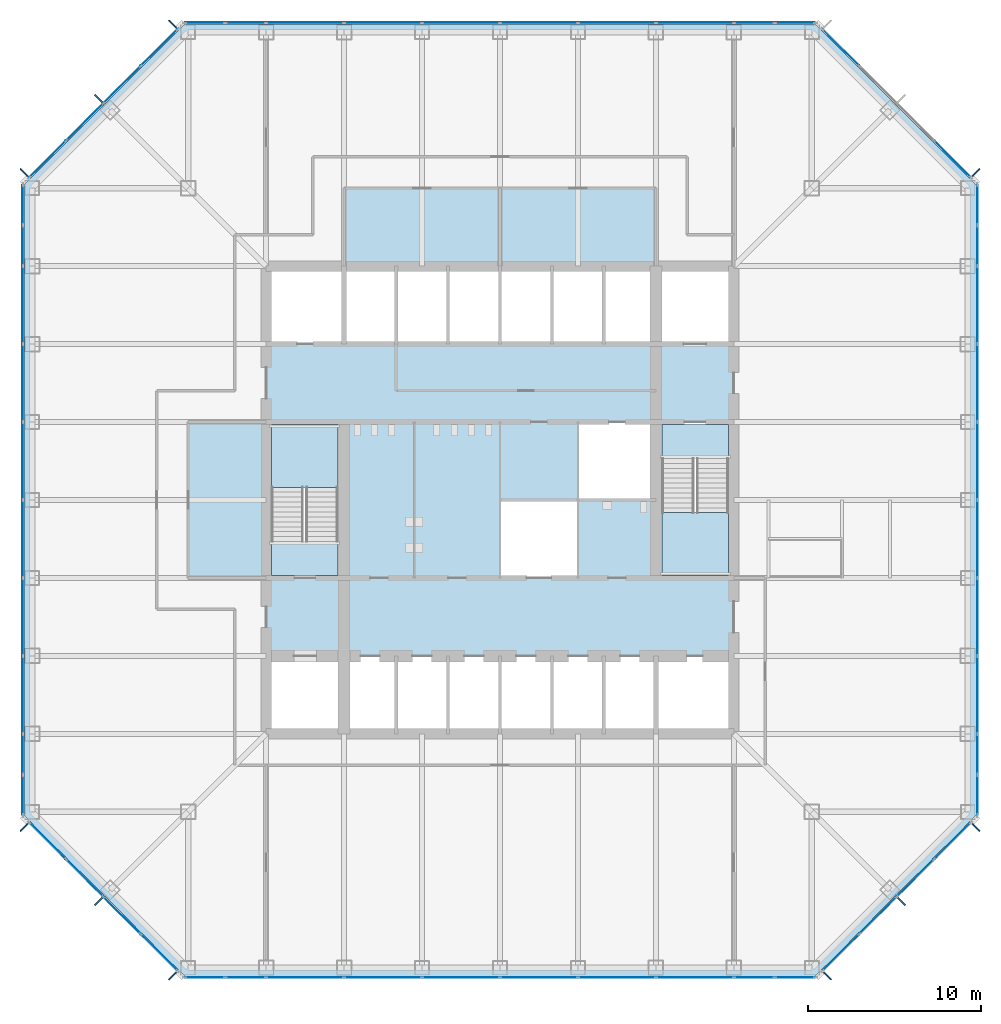
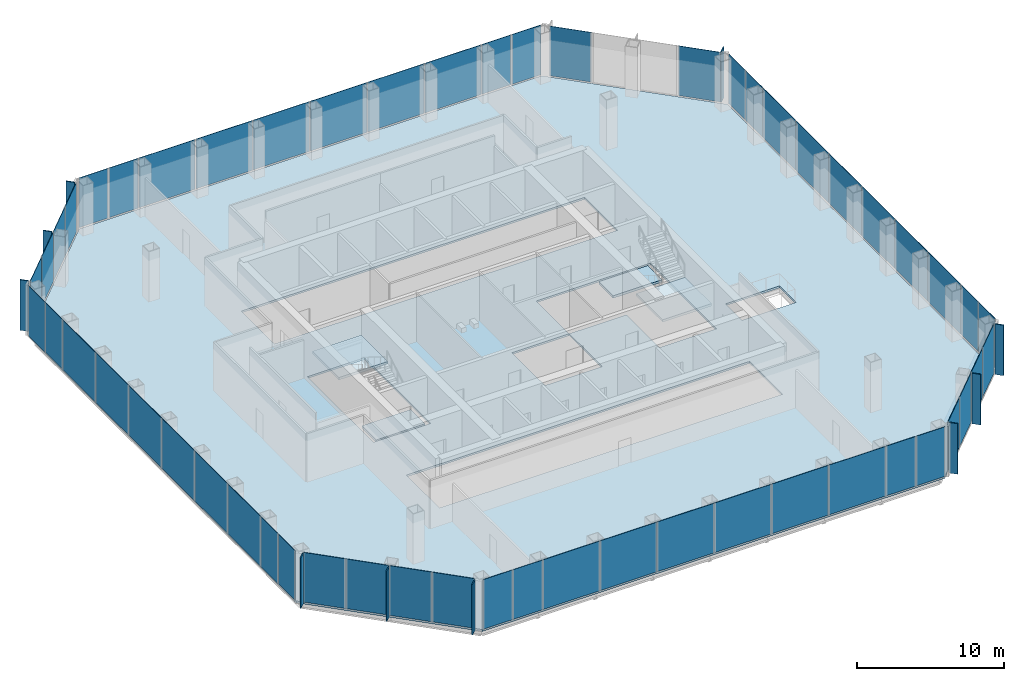
# One storey, part 7 of 12: 64 plates, 5 slabs, 10 elements without a shape of their own.
"""IFC4 building model written with IfcOpenShell, lengths in metres."""

from ifc_helpers import new_model, si_unit, direction, frame, origin, origin_2d, place, context, subcontext, project, spatial, polyline, rectangle, outline, extrude, material, layer, layer_set, type_object, element, aggregate, save


model = new_model("IFC4")

# Units and contexts
model_context = context("Model", 3, precision=1e-05, world=origin(), true_north=direction((0.0, 1.0)))
body_context = subcontext(model_context, "Body", "Model", "MODEL_VIEW")
ifc_project = project(units=[si_unit("LENGTHUNIT", "METRE"), si_unit("AREAUNIT", "SQUARE_METRE"), si_unit("VOLUMEUNIT", "CUBIC_METRE"), si_unit("PLANEANGLEUNIT", "RADIAN"), si_unit("MASSUNIT", "GRAM", prefix="KILO")], contexts=[model_context])

# Site, building, storey
site_placement = place(None, origin())
site = spatial("IfcSite", under=ifc_project, at=site_placement, CompositionType="ELEMENT")
building_placement = place(site_placement, origin())
building = spatial("IfcBuilding", under=site, at=building_placement, Name="Corais Broadcast Tower", CompositionType="ELEMENT")
storey_placement = place(building_placement, frame((0.0, 0.0, 41.60009765625)))
storey = spatial("IfcBuildingStorey", under=building, at=storey_placement, Name="L08", CompositionType="ELEMENT", Elevation=41.60009765625)

# Curtain wall, plates
ifc_material_1 = material(Name="Aluminium and glass", Category="aluminium")
curtain_wall_type = type_object("IfcCurtainWallType", Name="Newsroom clear-glass curtain wall CW7", PredefinedType="NOTDEFINED", material=ifc_material_1)
curtain_wall_1_placement = place(storey_placement, origin())
curtain_wall_1 = element("IfcCurtainWall", 1, at=curtain_wall_1_placement, inside=storey, type_object=curtain_wall_type, Name="CW7 curtain wall L08 1", PredefinedType="NOTDEFINED")
ifc_material_2 = material(Name="Clear low-iron laminated glass", Category="glass")
ifc_layer_1 = layer(ifc_material_2, 0.032958984375)
ifc_layer_set_1 = layer_set([ifc_layer_1], Name="Clear low-iron laminated glass")
plate_type_1 = type_object("IfcPlateType", Name="Clear glass panel CW7", PredefinedType="CURTAIN_PANEL", material=ifc_layer_set_1)
plate_1_placement = place(storey_placement, frame((7.330322265625, 0.891845703125, 0.06494140625), z_axis=(0.0, 0.0, 1.0), x_axis=(-0.707106781187, 0.707106781187, 0.0)))
plate_1 = element("IfcPlate", 2, at=plate_1_placement, type_object=plate_type_1, Name="CW7 panel 1", PredefinedType="CURTAIN_PANEL", context=body_context, shape_type="SweptSolid", body=[
    extrude(rectangle(XDim=2.9482421875, YDim=0.032958984375, at=origin_2d()), origin(), (0.0, 0.0, 1.0), 4.135009765625),
])
plate_2_placement = place(storey_placement, frame((3.0341796875, 5.18798828125, 0.06494140625), z_axis=(0.0, 0.0, 1.0), x_axis=(-0.707106781187, 0.707106781187, 0.0)))
plate_2 = element("IfcPlate", 3, at=plate_2_placement, type_object=plate_type_1, Name="CW7 panel 3", PredefinedType="CURTAIN_PANEL", context=body_context, shape_type="SweptSolid", body=[
    extrude(rectangle(XDim=2.98095703125, YDim=0.032958984375, at=origin_2d()), origin(), (0.0, 0.0, 1.0), 4.135009765625),
])

curtain_wall_2_placement = place(storey_placement, origin())
curtain_wall_2 = element("IfcCurtainWall", 4, at=curtain_wall_2_placement, inside=storey, type_object=curtain_wall_type, Name="CW7 curtain wall L08 2", PredefinedType="NOTDEFINED")
plate_3_placement = place(storey_placement, frame((-0.550048828125, 9.970458984375, 0.06494140625), z_axis=(0.0, 0.0, 1.0), x_axis=(0.0, 1.0, 0.0)))
plate_3 = element("IfcPlate", 5, at=plate_3_placement, type_object=plate_type_1, Name="CW7 panel 1", PredefinedType="CURTAIN_PANEL", context=body_context, shape_type="SweptSolid", body=[
    extrude(rectangle(XDim=2.266357421875, YDim=0.032958984375, at=origin_2d()), origin(), (0.0, 0.0, 1.0), 4.135009765625),
])
plate_4_placement = place(storey_placement, frame((-0.550048828125, 15.75, 0.06494140625), z_axis=(0.0, 0.0, 1.0), x_axis=(0.0, 1.0, 0.0)))
plate_4 = element("IfcPlate", 6, at=plate_4_placement, type_object=plate_type_1, Name="CW7 panel 3", PredefinedType="CURTAIN_PANEL", context=body_context, shape_type="SweptSolid", body=[
    extrude(rectangle(XDim=4.43505859375, YDim=0.032958984375, at=origin_2d()), origin(), (0.0, 0.0, 1.0), 4.135009765625),
])
plate_5_placement = place(storey_placement, frame((-0.550048828125, 24.75, 0.06494140625), z_axis=(0.0, 0.0, 1.0), x_axis=(0.0, 1.0, 0.0)))
plate_5 = element("IfcPlate", 7, at=plate_5_placement, type_object=plate_type_1, Name="CW7 panel 5", PredefinedType="CURTAIN_PANEL", context=body_context, shape_type="SweptSolid", body=[
    extrude(rectangle(XDim=4.43505859375, YDim=0.032958984375, at=origin_2d()), origin(), (0.0, 0.0, 1.0), 4.135009765625),
])
plate_6_placement = place(storey_placement, frame((-0.550048828125, 33.75, 0.06494140625), z_axis=(0.0, 0.0, 1.0), x_axis=(0.0, 1.0, 0.0)))
plate_6 = element("IfcPlate", 8, at=plate_6_placement, type_object=plate_type_1, Name="CW7 panel 7", PredefinedType="CURTAIN_PANEL", context=body_context, shape_type="SweptSolid", body=[
    extrude(rectangle(XDim=4.43505859375, YDim=0.032958984375, at=origin_2d()), origin(), (0.0, 0.0, 1.0), 4.135009765625),
])
plate_7_placement = place(storey_placement, frame((-0.550048828125, 41.681884765625, 0.06494140625), z_axis=(0.0, 0.0, 1.0), x_axis=(0.0, 1.0, 0.0)))
plate_7 = element("IfcPlate", 9, at=plate_7_placement, type_object=plate_type_1, Name="CW7 panel 9", PredefinedType="CURTAIN_PANEL", context=body_context, shape_type="SweptSolid", body=[
    extrude(rectangle(XDim=2.298828125, YDim=0.032958984375, at=origin_2d()), origin(), (0.0, 0.0, 1.0), 4.135009765625),
])

curtain_wall_3_placement = place(storey_placement, origin())
curtain_wall_3 = element("IfcCurtainWall", 10, at=curtain_wall_3_placement, inside=storey, type_object=curtain_wall_type, Name="CW7 curtain wall L08 3", PredefinedType="NOTDEFINED")
plate_8_placement = place(storey_placement, frame((0.891845703125, 46.669677734375, 0.06494140625), z_axis=(0.0, 0.0, 1.0), x_axis=(0.707106781187, 0.707106781187, 0.0)))
plate_8 = element("IfcPlate", 11, at=plate_8_placement, type_object=plate_type_1, Name="CW7 panel 1", PredefinedType="CURTAIN_PANEL", context=body_context, shape_type="SweptSolid", body=[
    extrude(rectangle(XDim=2.9482421875, YDim=0.032958984375, at=origin_2d()), origin(), (0.0, 0.0, 1.0), 4.135009765625),
])
plate_9_placement = place(storey_placement, frame((5.18798828125, 50.9658203125, 0.06494140625), z_axis=(0.0, 0.0, 1.0), x_axis=(0.707106781187, 0.707106781187, 0.0)))
plate_9 = element("IfcPlate", 12, at=plate_9_placement, type_object=plate_type_1, Name="CW7 panel 3", PredefinedType="CURTAIN_PANEL", context=body_context, shape_type="SweptSolid", body=[
    extrude(rectangle(XDim=2.98095703125, YDim=0.032958984375, at=origin_2d()), origin(), (0.0, 0.0, 1.0), 4.135009765625),
])

curtain_wall_4_placement = place(storey_placement, origin())
curtain_wall_4 = element("IfcCurtainWall", 13, at=curtain_wall_4_placement, inside=storey, type_object=curtain_wall_type, Name="CW7 curtain wall L08 4", PredefinedType="NOTDEFINED")
plate_10_placement = place(storey_placement, frame((9.970458984375, 54.550048828125, 0.06494140625), z_axis=(0.0, 0.0, 1.0), x_axis=(1.0, 0.0, 0.0)))
plate_10 = element("IfcPlate", 14, at=plate_10_placement, type_object=plate_type_1, Name="CW7 panel 1", PredefinedType="CURTAIN_PANEL", context=body_context, shape_type="SweptSolid", body=[
    extrude(rectangle(XDim=2.266357421875, YDim=0.032958984375, at=origin_2d()), origin(), (0.0, 0.0, 1.0), 4.135009765625),
])
plate_11_placement = place(storey_placement, frame((15.75, 54.550048828125, 0.06494140625), z_axis=(0.0, 0.0, 1.0), x_axis=(1.0, 0.0, 0.0)))
plate_11 = element("IfcPlate", 15, at=plate_11_placement, type_object=plate_type_1, Name="CW7 panel 3", PredefinedType="CURTAIN_PANEL", context=body_context, shape_type="SweptSolid", body=[
    extrude(rectangle(XDim=4.43505859375, YDim=0.032958984375, at=origin_2d()), origin(), (0.0, 0.0, 1.0), 4.135009765625),
])
plate_12_placement = place(storey_placement, frame((24.75, 54.550048828125, 0.06494140625), z_axis=(0.0, 0.0, 1.0), x_axis=(1.0, 0.0, 0.0)))
plate_12 = element("IfcPlate", 16, at=plate_12_placement, type_object=plate_type_1, Name="CW7 panel 5", PredefinedType="CURTAIN_PANEL", context=body_context, shape_type="SweptSolid", body=[
    extrude(rectangle(XDim=4.43505859375, YDim=0.032958984375, at=origin_2d()), origin(), (0.0, 0.0, 1.0), 4.135009765625),
])
plate_13_placement = place(storey_placement, frame((33.75, 54.550048828125, 0.06494140625), z_axis=(0.0, 0.0, 1.0), x_axis=(1.0, 0.0, 0.0)))
plate_13 = element("IfcPlate", 17, at=plate_13_placement, type_object=plate_type_1, Name="CW7 panel 7", PredefinedType="CURTAIN_PANEL", context=body_context, shape_type="SweptSolid", body=[
    extrude(rectangle(XDim=4.43505859375, YDim=0.032958984375, at=origin_2d()), origin(), (0.0, 0.0, 1.0), 4.135009765625),
])
plate_14_placement = place(storey_placement, frame((41.681884765625, 54.550048828125, 0.06494140625), z_axis=(0.0, 0.0, 1.0), x_axis=(1.0, 0.0, 0.0)))
plate_14 = element("IfcPlate", 18, at=plate_14_placement, type_object=plate_type_1, Name="CW7 panel 9", PredefinedType="CURTAIN_PANEL", context=body_context, shape_type="SweptSolid", body=[
    extrude(rectangle(XDim=2.298828125, YDim=0.032958984375, at=origin_2d()), origin(), (0.0, 0.0, 1.0), 4.135009765625),
])

# Curtain wall, plate
curtain_wall_5_placement = place(storey_placement, origin())
curtain_wall_5 = element("IfcCurtainWall", 19, at=curtain_wall_5_placement, inside=storey, type_object=curtain_wall_type, Name="CW7 curtain wall L08 5", PredefinedType="NOTDEFINED")
plate_15_placement = place(storey_placement, frame((46.669677734375, 53.108154296875, 0.06494140625), z_axis=(0.0, 0.0, 1.0), x_axis=(0.707106781187, -0.707106781187, 0.0)))
plate_15 = element("IfcPlate", 20, at=plate_15_placement, type_object=plate_type_1, Name="CW7 panel 1", PredefinedType="CURTAIN_PANEL", context=body_context, shape_type="SweptSolid", body=[
    extrude(rectangle(XDim=2.9482421875, YDim=0.032958984375, at=origin_2d()), origin(), (0.0, 0.0, 1.0), 4.135009765625),
])

# Curtain wall, plates
curtain_wall_6_placement = place(storey_placement, origin())
curtain_wall_6 = element("IfcCurtainWall", 21, at=curtain_wall_6_placement, inside=storey, type_object=curtain_wall_type, Name="CW7 curtain wall L08 6", PredefinedType="NOTDEFINED")
plate_16_placement = place(storey_placement, frame((54.550048828125, 44.029541015625, 0.06494140625), z_axis=(0.0, 0.0, 1.0), x_axis=(0.0, -1.0, 0.0)))
plate_16 = element("IfcPlate", 22, at=plate_16_placement, type_object=plate_type_1, Name="CW7 panel 1", PredefinedType="CURTAIN_PANEL", context=body_context, shape_type="SweptSolid", body=[
    extrude(rectangle(XDim=2.266357421875, YDim=0.032958984375, at=origin_2d()), origin(), (0.0, 0.0, 1.0), 4.135009765625),
])
plate_17_placement = place(storey_placement, frame((54.550048828125, 38.25, 0.06494140625), z_axis=(0.0, 0.0, 1.0), x_axis=(0.0, -1.0, 0.0)))
plate_17 = element("IfcPlate", 23, at=plate_17_placement, type_object=plate_type_1, Name="CW7 panel 3", PredefinedType="CURTAIN_PANEL", context=body_context, shape_type="SweptSolid", body=[
    extrude(rectangle(XDim=4.43505859375, YDim=0.032958984375, at=origin_2d()), origin(), (0.0, 0.0, 1.0), 4.135009765625),
])
plate_18_placement = place(storey_placement, frame((54.550048828125, 29.25, 0.06494140625), z_axis=(0.0, 0.0, 1.0), x_axis=(0.0, -1.0, 0.0)))
plate_18 = element("IfcPlate", 24, at=plate_18_placement, type_object=plate_type_1, Name="CW7 panel 5", PredefinedType="CURTAIN_PANEL", context=body_context, shape_type="SweptSolid", body=[
    extrude(rectangle(XDim=4.43505859375, YDim=0.032958984375, at=origin_2d()), origin(), (0.0, 0.0, 1.0), 4.135009765625),
])
plate_19_placement = place(storey_placement, frame((54.550048828125, 20.25, 0.06494140625), z_axis=(0.0, 0.0, 1.0), x_axis=(0.0, -1.0, 0.0)))
plate_19 = element("IfcPlate", 25, at=plate_19_placement, type_object=plate_type_1, Name="CW7 panel 7", PredefinedType="CURTAIN_PANEL", context=body_context, shape_type="SweptSolid", body=[
    extrude(rectangle(XDim=4.43505859375, YDim=0.032958984375, at=origin_2d()), origin(), (0.0, 0.0, 1.0), 4.135009765625),
])
plate_20_placement = place(storey_placement, frame((54.550048828125, 12.318115234375, 0.06494140625), z_axis=(0.0, 0.0, 1.0), x_axis=(0.0, -1.0, 0.0)))
plate_20 = element("IfcPlate", 26, at=plate_20_placement, type_object=plate_type_1, Name="CW7 panel 9", PredefinedType="CURTAIN_PANEL", context=body_context, shape_type="SweptSolid", body=[
    extrude(rectangle(XDim=2.298828125, YDim=0.032958984375, at=origin_2d()), origin(), (0.0, 0.0, 1.0), 4.135009765625),
])

curtain_wall_7_placement = place(storey_placement, origin())
curtain_wall_7 = element("IfcCurtainWall", 27, at=curtain_wall_7_placement, inside=storey, type_object=curtain_wall_type, Name="CW7 curtain wall L08 7", PredefinedType="NOTDEFINED")
plate_21_placement = place(storey_placement, frame((53.108154296875, 7.330322265625, 0.06494140625), z_axis=(0.0, 0.0, 1.0), x_axis=(-0.707106781187, -0.707106781187, 0.0)))
plate_21 = element("IfcPlate", 28, at=plate_21_placement, type_object=plate_type_1, Name="CW7 panel 1", PredefinedType="CURTAIN_PANEL", context=body_context, shape_type="SweptSolid", body=[
    extrude(rectangle(XDim=2.9482421875, YDim=0.032958984375, at=origin_2d()), origin(), (0.0, 0.0, 1.0), 4.135009765625),
])
plate_22_placement = place(storey_placement, frame((48.81201171875, 3.0341796875, 0.06494140625), z_axis=(0.0, 0.0, 1.0), x_axis=(-0.707106781187, -0.707106781187, 0.0)))
plate_22 = element("IfcPlate", 29, at=plate_22_placement, type_object=plate_type_1, Name="CW7 panel 3", PredefinedType="CURTAIN_PANEL", context=body_context, shape_type="SweptSolid", body=[
    extrude(rectangle(XDim=2.98095703125, YDim=0.032958984375, at=origin_2d()), origin(), (0.0, 0.0, 1.0), 4.135009765625),
])

curtain_wall_8_placement = place(storey_placement, origin())
curtain_wall_8 = element("IfcCurtainWall", 30, at=curtain_wall_8_placement, inside=storey, type_object=curtain_wall_type, Name="CW7 curtain wall L08 8", PredefinedType="NOTDEFINED")
plate_23_placement = place(storey_placement, frame((44.029541015625, -0.550048828125, 0.06494140625), z_axis=(0.0, 0.0, 1.0), x_axis=(-1.0, 0.0, 0.0)))
plate_23 = element("IfcPlate", 31, at=plate_23_placement, type_object=plate_type_1, Name="CW7 panel 1", PredefinedType="CURTAIN_PANEL", context=body_context, shape_type="SweptSolid", body=[
    extrude(rectangle(XDim=2.266357421875, YDim=0.032958984375, at=origin_2d()), origin(), (0.0, 0.0, 1.0), 4.135009765625),
])
plate_24_placement = place(storey_placement, frame((38.25, -0.550048828125, 0.06494140625), z_axis=(0.0, 0.0, 1.0), x_axis=(-1.0, 0.0, 0.0)))
plate_24 = element("IfcPlate", 32, at=plate_24_placement, type_object=plate_type_1, Name="CW7 panel 3", PredefinedType="CURTAIN_PANEL", context=body_context, shape_type="SweptSolid", body=[
    extrude(rectangle(XDim=4.43505859375, YDim=0.032958984375, at=origin_2d()), origin(), (0.0, 0.0, 1.0), 4.135009765625),
])
plate_25_placement = place(storey_placement, frame((29.25, -0.550048828125, 0.06494140625), z_axis=(0.0, 0.0, 1.0), x_axis=(-1.0, 0.0, 0.0)))
plate_25 = element("IfcPlate", 33, at=plate_25_placement, type_object=plate_type_1, Name="CW7 panel 5", PredefinedType="CURTAIN_PANEL", context=body_context, shape_type="SweptSolid", body=[
    extrude(rectangle(XDim=4.43505859375, YDim=0.032958984375, at=origin_2d()), origin(), (0.0, 0.0, 1.0), 4.135009765625),
])
plate_26_placement = place(storey_placement, frame((20.25, -0.550048828125, 0.06494140625), z_axis=(0.0, 0.0, 1.0), x_axis=(-1.0, 0.0, 0.0)))
plate_26 = element("IfcPlate", 34, at=plate_26_placement, type_object=plate_type_1, Name="CW7 panel 7", PredefinedType="CURTAIN_PANEL", context=body_context, shape_type="SweptSolid", body=[
    extrude(rectangle(XDim=4.43505859375, YDim=0.032958984375, at=origin_2d()), origin(), (0.0, 0.0, 1.0), 4.135009765625),
])
plate_27_placement = place(storey_placement, frame((12.318115234375, -0.550048828125, 0.06494140625), z_axis=(0.0, 0.0, 1.0), x_axis=(-1.0, 0.0, 0.0)))
plate_27 = element("IfcPlate", 35, at=plate_27_placement, type_object=plate_type_1, Name="CW7 panel 9", PredefinedType="CURTAIN_PANEL", context=body_context, shape_type="SweptSolid", body=[
    extrude(rectangle(XDim=2.298828125, YDim=0.032958984375, at=origin_2d()), origin(), (0.0, 0.0, 1.0), 4.135009765625),
])

# Slab
ifc_material_3 = material(Name="Concrete C30/37", Category="concrete")
ifc_layer_2 = layer(ifc_material_3, 0.159912109375)
ifc_layer_set_2 = layer_set([ifc_layer_2], Name="Concrete C30/37")
slab_type_1 = type_object("IfcSlabType", Name="Composite floor slab 160", PredefinedType="FLOOR", material=ifc_layer_set_2)
slab_1_placement = place(storey_placement, frame((0.0, 0.0, -0.16015625)))
element("IfcSlab", 36, at=slab_1_placement, inside=storey, type_object=slab_type_1, Name="S160 floor slab L08", PredefinedType="FLOOR", context=body_context, shape_type="SweptSolid", body=[
    extrude(outline(polyline([(8.80126953125, -0.47998046875), (-0.47998046875, 8.80126953125), (-0.47998046875, 45.19873046875), (8.80126953125, 54.47998046875), (45.19873046875, 54.47998046875), (54.47998046875, 45.19873046875), (54.47998046875, 8.80126953125), (45.19873046875, -0.47998046875), (8.80126953125, -0.47998046875)]), holes=[polyline([(13.5, 18.0), (40.5, 18.0), (40.5, 13.5), (13.5, 13.5), (13.5, 18.0)]), polyline([(18.0, 22.5), (13.5, 22.5), (13.5, 31.5), (18.0, 31.5), (18.0, 22.5)]), polyline([(13.5, 40.5), (40.5, 40.5), (40.5, 36.0), (13.5, 36.0), (13.5, 40.5)]), polyline([(31.5, 22.5), (27.0, 22.5), (27.0, 27.0), (31.4951171875, 27.0), (31.4951171875, 27.0048828125), (31.5, 27.0048828125), (31.5, 31.5), (40.5, 31.5), (40.5, 22.5), (36.0, 22.5), (36.0, 27.0), (31.5048828125, 27.0), (31.5048828125, 26.9951171875), (31.5, 26.9951171875), (31.5, 22.5)]), polyline([(42.5, 22.5), (42.5, 24.75), (46.75, 24.75), (46.75, 22.5), (42.5, 22.5)])]), origin(), (0.0, 0.0, 1.0), 0.16015625),
])

# Plate
ifc_material_4 = material(Name="Clear laminated glass", Category="glass")
ifc_layer_3 = layer(ifc_material_4, 0.037109375)
ifc_layer_set_3 = layer_set([ifc_layer_3], Name="Clear laminated glass")
plate_type_2 = type_object("IfcPlateType", Name="Operable glass panel CW7", PredefinedType="CURTAIN_PANEL", material=ifc_layer_set_3)
plate_28_placement = place(storey_placement, frame((5.18798828125, 3.0341796875, 0.06494140625), z_axis=(0.0, 0.0, 1.0), x_axis=(-0.707106781187, 0.707106781187, 0.0)))
plate_28 = element("IfcPlate", 37, at=plate_28_placement, type_object=plate_type_2, Name="CW7 operable panel 2", PredefinedType="CURTAIN_PANEL", context=body_context, shape_type="SweptSolid", body=[
    extrude(rectangle(XDim=2.98095703125, YDim=0.037109375, at=origin_2d()), origin(), (0.0, 0.0, 1.0), 4.135009765625),
])

plate_29_placement = place(storey_placement, frame((0.89208984375, 7.330322265625, 0.06494140625), z_axis=(0.0, 0.0, 1.0), x_axis=(-0.707106781187, 0.707106781187, 0.0)))
plate_29 = element("IfcPlate", 38, at=plate_29_placement, type_object=plate_type_2, Name="CW7 operable panel 4", PredefinedType="CURTAIN_PANEL", context=body_context, shape_type="SweptSolid", body=[
    extrude(rectangle(XDim=2.948486328125, YDim=0.037109375, at=origin_2d()), origin(), (0.0, 0.0, 1.0), 4.135009765625),
])

aggregate(curtain_wall_1, [plate_1, plate_28, plate_2, plate_29])

plate_30_placement = place(storey_placement, frame((-0.550048828125, 12.318115234375, 0.06494140625), z_axis=(0.0, 0.0, 1.0), x_axis=(0.0, 1.0, 0.0)))
plate_30 = element("IfcPlate", 39, at=plate_30_placement, type_object=plate_type_2, Name="CW7 operable panel 2", PredefinedType="CURTAIN_PANEL", context=body_context, shape_type="SweptSolid", body=[
    extrude(rectangle(XDim=2.298828125, YDim=0.037109375, at=origin_2d()), origin(), (0.0, 0.0, 1.0), 4.135009765625),
])

plate_31_placement = place(storey_placement, frame((-0.550048828125, 20.25, 0.06494140625), z_axis=(0.0, 0.0, 1.0), x_axis=(0.0, 1.0, 0.0)))
plate_31 = element("IfcPlate", 40, at=plate_31_placement, type_object=plate_type_2, Name="CW7 operable panel 4", PredefinedType="CURTAIN_PANEL", context=body_context, shape_type="SweptSolid", body=[
    extrude(rectangle(XDim=4.43505859375, YDim=0.037109375, at=origin_2d()), origin(), (0.0, 0.0, 1.0), 4.135009765625),
])

plate_32_placement = place(storey_placement, frame((-0.550048828125, 29.25, 0.06494140625), z_axis=(0.0, 0.0, 1.0), x_axis=(0.0, 1.0, 0.0)))
plate_32 = element("IfcPlate", 41, at=plate_32_placement, type_object=plate_type_2, Name="CW7 operable panel 6", PredefinedType="CURTAIN_PANEL", context=body_context, shape_type="SweptSolid", body=[
    extrude(rectangle(XDim=4.43505859375, YDim=0.037109375, at=origin_2d()), origin(), (0.0, 0.0, 1.0), 4.135009765625),
])

plate_33_placement = place(storey_placement, frame((-0.550048828125, 38.25, 0.06494140625), z_axis=(0.0, 0.0, 1.0), x_axis=(0.0, 1.0, 0.0)))
plate_33 = element("IfcPlate", 42, at=plate_33_placement, type_object=plate_type_2, Name="CW7 operable panel 8", PredefinedType="CURTAIN_PANEL", context=body_context, shape_type="SweptSolid", body=[
    extrude(rectangle(XDim=4.43505859375, YDim=0.037109375, at=origin_2d()), origin(), (0.0, 0.0, 1.0), 4.135009765625),
])

plate_34_placement = place(storey_placement, frame((-0.550048828125, 44.029541015625, 0.06494140625), z_axis=(0.0, 0.0, 1.0), x_axis=(0.0, 1.0, 0.0)))
plate_34 = element("IfcPlate", 43, at=plate_34_placement, type_object=plate_type_2, Name="CW7 operable panel 10", PredefinedType="CURTAIN_PANEL", context=body_context, shape_type="SweptSolid", body=[
    extrude(rectangle(XDim=2.266357421875, YDim=0.037109375, at=origin_2d()), origin(), (0.0, 0.0, 1.0), 4.135009765625),
])

aggregate(curtain_wall_2, [plate_3, plate_30, plate_4, plate_31, plate_5, plate_32, plate_6, plate_33, plate_7, plate_34])

plate_35_placement = place(storey_placement, frame((3.0341796875, 48.81201171875, 0.06494140625), z_axis=(0.0, 0.0, 1.0), x_axis=(0.707106781187, 0.707106781187, 0.0)))
plate_35 = element("IfcPlate", 44, at=plate_35_placement, type_object=plate_type_2, Name="CW7 operable panel 2", PredefinedType="CURTAIN_PANEL", context=body_context, shape_type="SweptSolid", body=[
    extrude(rectangle(XDim=2.98095703125, YDim=0.037109375, at=origin_2d()), origin(), (0.0, 0.0, 1.0), 4.135009765625),
])

plate_36_placement = place(storey_placement, frame((7.330322265625, 53.10791015625, 0.06494140625), z_axis=(0.0, 0.0, 1.0), x_axis=(0.707106781187, 0.707106781187, 0.0)))
plate_36 = element("IfcPlate", 45, at=plate_36_placement, type_object=plate_type_2, Name="CW7 operable panel 4", PredefinedType="CURTAIN_PANEL", context=body_context, shape_type="SweptSolid", body=[
    extrude(rectangle(XDim=2.948486328125, YDim=0.037109375, at=origin_2d()), origin(), (0.0, 0.0, 1.0), 4.135009765625),
])

aggregate(curtain_wall_3, [plate_8, plate_35, plate_9, plate_36])

plate_37_placement = place(storey_placement, frame((12.318115234375, 54.550048828125, 0.06494140625), z_axis=(0.0, 0.0, 1.0), x_axis=(1.0, 0.0, 0.0)))
plate_37 = element("IfcPlate", 46, at=plate_37_placement, type_object=plate_type_2, Name="CW7 operable panel 2", PredefinedType="CURTAIN_PANEL", context=body_context, shape_type="SweptSolid", body=[
    extrude(rectangle(XDim=2.298828125, YDim=0.037109375, at=origin_2d()), origin(), (0.0, 0.0, 1.0), 4.135009765625),
])

plate_38_placement = place(storey_placement, frame((20.25, 54.550048828125, 0.06494140625), z_axis=(0.0, 0.0, 1.0), x_axis=(1.0, 0.0, 0.0)))
plate_38 = element("IfcPlate", 47, at=plate_38_placement, type_object=plate_type_2, Name="CW7 operable panel 4", PredefinedType="CURTAIN_PANEL", context=body_context, shape_type="SweptSolid", body=[
    extrude(rectangle(XDim=4.43505859375, YDim=0.037109375, at=origin_2d()), origin(), (0.0, 0.0, 1.0), 4.135009765625),
])

plate_39_placement = place(storey_placement, frame((29.25, 54.550048828125, 0.06494140625), z_axis=(0.0, 0.0, 1.0), x_axis=(1.0, 0.0, 0.0)))
plate_39 = element("IfcPlate", 48, at=plate_39_placement, type_object=plate_type_2, Name="CW7 operable panel 6", PredefinedType="CURTAIN_PANEL", context=body_context, shape_type="SweptSolid", body=[
    extrude(rectangle(XDim=4.43505859375, YDim=0.037109375, at=origin_2d()), origin(), (0.0, 0.0, 1.0), 4.135009765625),
])

plate_40_placement = place(storey_placement, frame((38.25, 54.550048828125, 0.06494140625), z_axis=(0.0, 0.0, 1.0), x_axis=(1.0, 0.0, 0.0)))
plate_40 = element("IfcPlate", 49, at=plate_40_placement, type_object=plate_type_2, Name="CW7 operable panel 8", PredefinedType="CURTAIN_PANEL", context=body_context, shape_type="SweptSolid", body=[
    extrude(rectangle(XDim=4.43505859375, YDim=0.037109375, at=origin_2d()), origin(), (0.0, 0.0, 1.0), 4.135009765625),
])

plate_41_placement = place(storey_placement, frame((44.029541015625, 54.550048828125, 0.06494140625), z_axis=(0.0, 0.0, 1.0), x_axis=(1.0, 0.0, 0.0)))
plate_41 = element("IfcPlate", 50, at=plate_41_placement, type_object=plate_type_2, Name="CW7 operable panel 10", PredefinedType="CURTAIN_PANEL", context=body_context, shape_type="SweptSolid", body=[
    extrude(rectangle(XDim=2.266357421875, YDim=0.037109375, at=origin_2d()), origin(), (0.0, 0.0, 1.0), 4.135009765625),
])

aggregate(curtain_wall_4, [plate_10, plate_37, plate_11, plate_38, plate_12, plate_39, plate_13, plate_40, plate_14, plate_41])

plate_42_placement = place(storey_placement, frame((53.10791015625, 46.669677734375, 0.06494140625), z_axis=(0.0, 0.0, 1.0), x_axis=(0.707106781187, -0.707106781187, 0.0)))
plate_42 = element("IfcPlate", 51, at=plate_42_placement, type_object=plate_type_2, Name="CW7 operable panel 4", PredefinedType="CURTAIN_PANEL", context=body_context, shape_type="SweptSolid", body=[
    extrude(rectangle(XDim=2.948486328125, YDim=0.037109375, at=origin_2d()), origin(), (0.0, 0.0, 1.0), 4.135009765625),
])

aggregate(curtain_wall_5, [plate_15, plate_42])

plate_43_placement = place(storey_placement, frame((54.550048828125, 41.681884765625, 0.06494140625), z_axis=(0.0, 0.0, 1.0), x_axis=(0.0, -1.0, 0.0)))
plate_43 = element("IfcPlate", 52, at=plate_43_placement, type_object=plate_type_2, Name="CW7 operable panel 2", PredefinedType="CURTAIN_PANEL", context=body_context, shape_type="SweptSolid", body=[
    extrude(rectangle(XDim=2.298828125, YDim=0.037109375, at=origin_2d()), origin(), (0.0, 0.0, 1.0), 4.135009765625),
])

plate_44_placement = place(storey_placement, frame((54.550048828125, 33.75, 0.06494140625), z_axis=(0.0, 0.0, 1.0), x_axis=(0.0, -1.0, 0.0)))
plate_44 = element("IfcPlate", 53, at=plate_44_placement, type_object=plate_type_2, Name="CW7 operable panel 4", PredefinedType="CURTAIN_PANEL", context=body_context, shape_type="SweptSolid", body=[
    extrude(rectangle(XDim=4.43505859375, YDim=0.037109375, at=origin_2d()), origin(), (0.0, 0.0, 1.0), 4.135009765625),
])

plate_45_placement = place(storey_placement, frame((54.550048828125, 24.75, 0.06494140625), z_axis=(0.0, 0.0, 1.0), x_axis=(0.0, -1.0, 0.0)))
plate_45 = element("IfcPlate", 54, at=plate_45_placement, type_object=plate_type_2, Name="CW7 operable panel 6", PredefinedType="CURTAIN_PANEL", context=body_context, shape_type="SweptSolid", body=[
    extrude(rectangle(XDim=4.43505859375, YDim=0.037109375, at=origin_2d()), origin(), (0.0, 0.0, 1.0), 4.135009765625),
])

plate_46_placement = place(storey_placement, frame((54.550048828125, 15.75, 0.06494140625), z_axis=(0.0, 0.0, 1.0), x_axis=(0.0, -1.0, 0.0)))
plate_46 = element("IfcPlate", 55, at=plate_46_placement, type_object=plate_type_2, Name="CW7 operable panel 8", PredefinedType="CURTAIN_PANEL", context=body_context, shape_type="SweptSolid", body=[
    extrude(rectangle(XDim=4.43505859375, YDim=0.037109375, at=origin_2d()), origin(), (0.0, 0.0, 1.0), 4.135009765625),
])

plate_47_placement = place(storey_placement, frame((54.550048828125, 9.970458984375, 0.06494140625), z_axis=(0.0, 0.0, 1.0), x_axis=(0.0, -1.0, 0.0)))
plate_47 = element("IfcPlate", 56, at=plate_47_placement, type_object=plate_type_2, Name="CW7 operable panel 10", PredefinedType="CURTAIN_PANEL", context=body_context, shape_type="SweptSolid", body=[
    extrude(rectangle(XDim=2.266357421875, YDim=0.037109375, at=origin_2d()), origin(), (0.0, 0.0, 1.0), 4.135009765625),
])

aggregate(curtain_wall_6, [plate_16, plate_43, plate_17, plate_44, plate_18, plate_45, plate_19, plate_46, plate_20, plate_47])

plate_48_placement = place(storey_placement, frame((50.9658203125, 5.18798828125, 0.06494140625), z_axis=(0.0, 0.0, 1.0), x_axis=(-0.707106781187, -0.707106781187, 0.0)))
plate_48 = element("IfcPlate", 57, at=plate_48_placement, type_object=plate_type_2, Name="CW7 operable panel 2", PredefinedType="CURTAIN_PANEL", context=body_context, shape_type="SweptSolid", body=[
    extrude(rectangle(XDim=2.98095703125, YDim=0.037109375, at=origin_2d()), origin(), (0.0, 0.0, 1.0), 4.135009765625),
])

plate_49_placement = place(storey_placement, frame((46.669677734375, 0.89208984375, 0.06494140625), z_axis=(0.0, 0.0, 1.0), x_axis=(-0.707106781187, -0.707106781187, 0.0)))
plate_49 = element("IfcPlate", 58, at=plate_49_placement, type_object=plate_type_2, Name="CW7 operable panel 4", PredefinedType="CURTAIN_PANEL", context=body_context, shape_type="SweptSolid", body=[
    extrude(rectangle(XDim=2.948486328125, YDim=0.037109375, at=origin_2d()), origin(), (0.0, 0.0, 1.0), 4.135009765625),
])

aggregate(curtain_wall_7, [plate_21, plate_48, plate_22, plate_49])

plate_50_placement = place(storey_placement, frame((41.681884765625, -0.550048828125, 0.06494140625), z_axis=(0.0, 0.0, 1.0), x_axis=(-1.0, 0.0, 0.0)))
plate_50 = element("IfcPlate", 59, at=plate_50_placement, type_object=plate_type_2, Name="CW7 operable panel 2", PredefinedType="CURTAIN_PANEL", context=body_context, shape_type="SweptSolid", body=[
    extrude(rectangle(XDim=2.298828125, YDim=0.037109375, at=origin_2d()), origin(), (0.0, 0.0, 1.0), 4.135009765625),
])

plate_51_placement = place(storey_placement, frame((33.75, -0.550048828125, 0.06494140625), z_axis=(0.0, 0.0, 1.0), x_axis=(-1.0, 0.0, 0.0)))
plate_51 = element("IfcPlate", 60, at=plate_51_placement, type_object=plate_type_2, Name="CW7 operable panel 4", PredefinedType="CURTAIN_PANEL", context=body_context, shape_type="SweptSolid", body=[
    extrude(rectangle(XDim=4.43505859375, YDim=0.037109375, at=origin_2d()), origin(), (0.0, 0.0, 1.0), 4.135009765625),
])

plate_52_placement = place(storey_placement, frame((24.75, -0.550048828125, 0.06494140625), z_axis=(0.0, 0.0, 1.0), x_axis=(-1.0, 0.0, 0.0)))
plate_52 = element("IfcPlate", 61, at=plate_52_placement, type_object=plate_type_2, Name="CW7 operable panel 6", PredefinedType="CURTAIN_PANEL", context=body_context, shape_type="SweptSolid", body=[
    extrude(rectangle(XDim=4.43505859375, YDim=0.037109375, at=origin_2d()), origin(), (0.0, 0.0, 1.0), 4.135009765625),
])

plate_53_placement = place(storey_placement, frame((15.75, -0.550048828125, 0.06494140625), z_axis=(0.0, 0.0, 1.0), x_axis=(-1.0, 0.0, 0.0)))
plate_53 = element("IfcPlate", 62, at=plate_53_placement, type_object=plate_type_2, Name="CW7 operable panel 8", PredefinedType="CURTAIN_PANEL", context=body_context, shape_type="SweptSolid", body=[
    extrude(rectangle(XDim=4.43505859375, YDim=0.037109375, at=origin_2d()), origin(), (0.0, 0.0, 1.0), 4.135009765625),
])

plate_54_placement = place(storey_placement, frame((9.970458984375, -0.550048828125, 0.06494140625), z_axis=(0.0, 0.0, 1.0), x_axis=(-1.0, 0.0, 0.0)))
plate_54 = element("IfcPlate", 63, at=plate_54_placement, type_object=plate_type_2, Name="CW7 operable panel 10", PredefinedType="CURTAIN_PANEL", context=body_context, shape_type="SweptSolid", body=[
    extrude(rectangle(XDim=2.266357421875, YDim=0.037109375, at=origin_2d()), origin(), (0.0, 0.0, 1.0), 4.135009765625),
])

aggregate(curtain_wall_8, [plate_23, plate_50, plate_24, plate_51, plate_25, plate_52, plate_26, plate_53, plate_27, plate_54])

# Stair, slabs
ifc_material_5 = material(Name="Concrete C30/37", Category="concrete")
stair_type = type_object("IfcStairType", Name="Half-turn stair 4200", PredefinedType="HALF_TURN_STAIR", material=ifc_material_5)
stair_1_placement = place(storey_placement, origin())
stair_1 = element("IfcStair", 64, at=stair_1_placement, inside=storey, type_object=stair_type, Name="Stair A L08", PredefinedType="HALF_TURN_STAIR")
ifc_material_6 = material(Name="Concrete C30/37", Category="concrete")
ifc_layer_4 = layer(ifc_material_6, 0.199951171875)
ifc_layer_set_4 = layer_set([ifc_layer_4], Name="Concrete C30/37")
slab_type_2 = type_object("IfcSlabType", Name="Stair landing 200", PredefinedType="LANDING", material=ifc_layer_set_4)
slab_2_placement = place(storey_placement, frame((0.0, 0.0, -0.2001953125)))
slab_2 = element("IfcSlab", 65, at=slab_2_placement, type_object=slab_type_2, Name="STA landing 1", PredefinedType="LANDING", context=body_context, shape_type="SweptSolid", body=[
    extrude(outline(polyline([(13.800048828125, 22.64990234375), (17.64990234375, 22.64990234375), (17.64990234375, 24.60009765625), (13.800048828125, 24.60009765625), (13.800048828125, 22.64990234375)])), origin(), (0.0, 0.0, 1.0), 0.2001953125),
])
slab_3_placement = place(storey_placement, frame((0.0, 0.0, 1.89990234375)))
slab_3 = element("IfcSlab", 66, at=slab_3_placement, type_object=slab_type_2, Name="STA landing 2", PredefinedType="LANDING", context=body_context, shape_type="SweptSolid", body=[
    extrude(outline(polyline([(13.800048828125, 27.735107421875), (17.64990234375, 27.735107421875), (17.64990234375, 31.35009765625), (13.800048828125, 31.35009765625), (13.800048828125, 27.735107421875)])), origin(), (0.0, 0.0, 1.0), 0.199951171875),
])
aggregate(stair_1, [slab_2, slab_3])

stair_2_placement = place(storey_placement, origin())
stair_2 = element("IfcStair", 67, at=stair_2_placement, inside=storey, type_object=stair_type, Name="Stair B L08", PredefinedType="HALF_TURN_STAIR")
slab_4_placement = place(storey_placement, frame((0.0, 0.0, -0.2001953125)))
slab_4 = element("IfcSlab", 68, at=slab_4_placement, type_object=slab_type_2, Name="STB landing 1", PredefinedType="LANDING", context=body_context, shape_type="SweptSolid", body=[
    extrude(outline(polyline([(36.35009765625, 29.39990234375), (40.199951171875, 29.39990234375), (40.199951171875, 31.35009765625), (36.35009765625, 31.35009765625), (36.35009765625, 29.39990234375)])), origin(), (0.0, 0.0, 1.0), 0.2001953125),
])
slab_5_placement = place(storey_placement, frame((0.0, 0.0, 1.89990234375)))
slab_5 = element("IfcSlab", 69, at=slab_5_placement, type_object=slab_type_2, Name="STB landing 2", PredefinedType="LANDING", context=body_context, shape_type="SweptSolid", body=[
    extrude(outline(polyline([(36.35009765625, 22.64990234375), (40.199951171875, 22.64990234375), (40.199951171875, 26.264892578125), (36.35009765625, 26.264892578125), (36.35009765625, 22.64990234375)])), origin(), (0.0, 0.0, 1.0), 0.199951171875),
])
aggregate(stair_2, [slab_4, slab_5])

# Plates
ifc_material_7 = material(Name="Granite stone cladding", Category="masonry")
ifc_layer_5 = layer(ifc_material_7, 0.080078125)
ifc_layer_set_5 = layer_set([ifc_layer_5], Name="Granite stone cladding")
plate_type_3 = type_object("IfcPlateType", Name="Stone screen fin 80x600", PredefinedType="USERDEFINED", material=ifc_layer_set_5)
for number, where, z_axis, x_axis, name in (
    (70, (8.10791015625, -0.461181640625, 0.0), (0.0, 0.0, 1.0), (-0.707106781187, 0.707106781187, 0.0), "SF1 stone screen fin L08"),
    (71, (3.8232421875, 3.8232421875, 0.0), (0.0, 0.0, 1.0), (-0.707106781187, 0.707106781187, 0.0), "SF1 stone screen fin L08"),
    (72, (-0.461181640625, 8.10791015625, 0.0), (0.0, 0.0, 1.0), (-0.707106781187, 0.707106781187, 0.0), "SF1 stone screen fin L08"),
    (73, (-0.461181640625, 45.89208984375, 0.0), (0.0, 0.0, 1.0), (0.707106781187, 0.707106781187, 0.0), "SF1 stone screen fin L08"),
    (74, (3.8232421875, 50.1767578125, 0.0), (0.0, 0.0, 1.0), (0.707106781187, 0.707106781187, 0.0), "SF1 stone screen fin L08"),
    (75, (8.10791015625, 54.461181640625, 0.0), (0.0, 0.0, 1.0), (0.707106781187, 0.707106781187, 0.0), "SF1 stone screen fin L08"),
    (76, (54.461181640625, 45.89208984375, 0.0), (0.0, 0.0, 1.0), (0.707106781187, -0.707106781187, 0.0), "SF1 stone screen fin L08"),
    (77, (54.461181640625, 8.10791015625, 0.0), (0.0, 0.0, 1.0), (-0.707106781187, -0.707106781187, 0.0), "SF1 stone screen fin L08"),
    (78, (50.1767578125, 3.8232421875, 0.0), (0.0, 0.0, 1.0), (-0.707106781187, -0.707106781187, 0.0), "SF1 stone screen fin L08"),
    (79, (45.89208984375, -0.461181640625, 0.0), (0.0, 0.0, 1.0), (-0.707106781187, -0.707106781187, 0.0), "SF1 stone screen fin L08"),
):
    element("IfcPlate", number, at=place(storey_placement, frame(where, z_axis=z_axis, x_axis=x_axis)), inside=storey, type_object=plate_type_3, Name=name, ObjectType="STONE SCREEN FIN", PredefinedType="USERDEFINED", context=body_context, shape_type="SweptSolid", body=[
        extrude(rectangle(XDim=0.080078125, YDim=0.60009765625, at=origin_2d()), origin(), (0.0, 0.0, 1.0), 4.199951171875),
    ])

save(model, "model.ifc")
